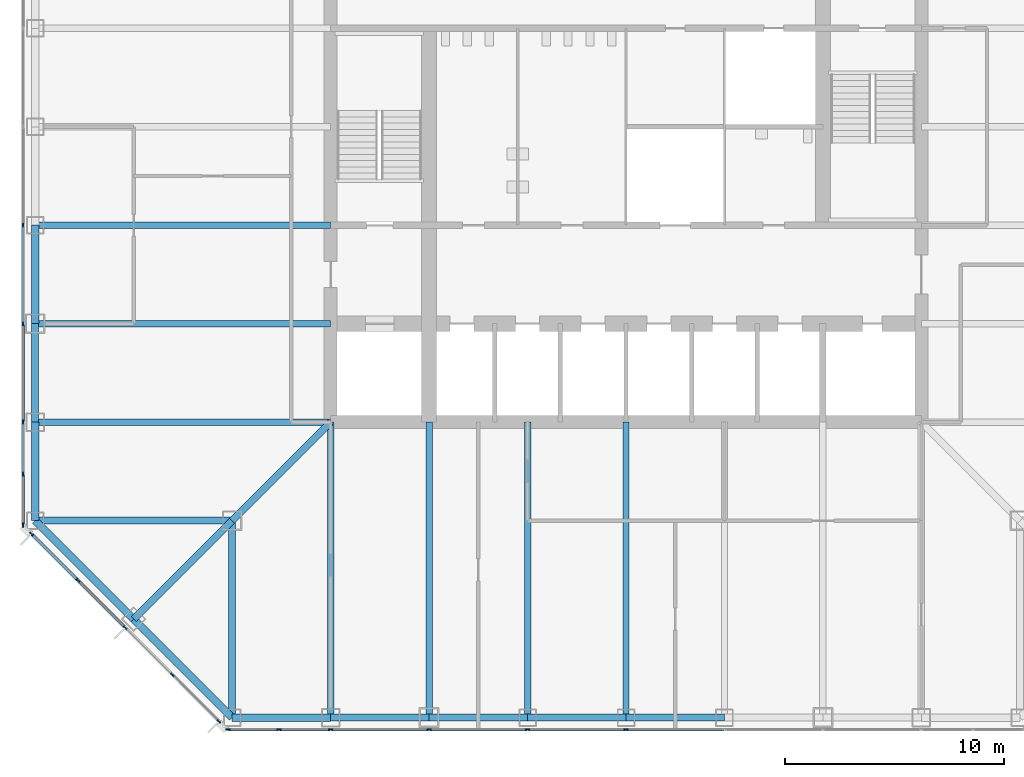
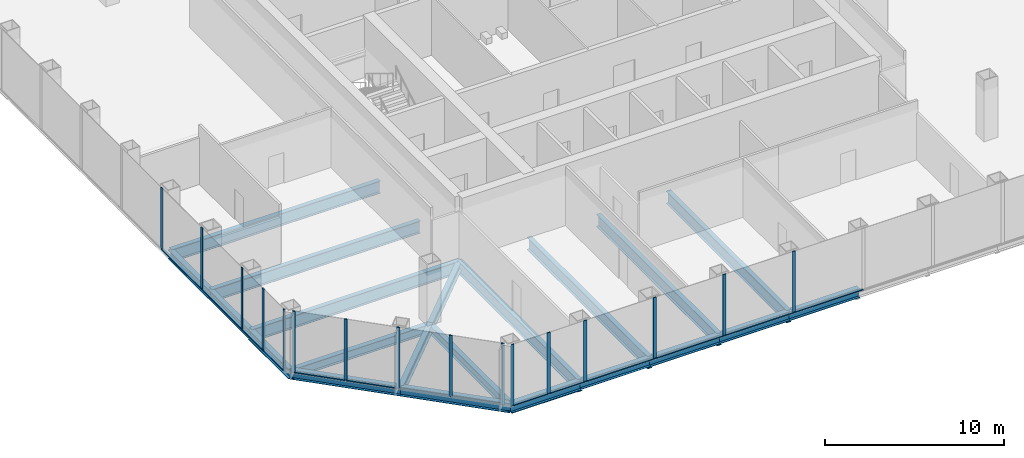
# One storey, part 2 of 13: 28 members, 21 beams, 3 elements without a shape of their own.
"""IFC4 building model written with IfcOpenShell, lengths in metres."""

from ifc_helpers import new_model, si_unit, direction, frame, origin, origin_2d, place, context, subcontext, project, spatial, rectangle, i_section, extrude, material, material_profile, profile_set, type_object, element, aggregate, save


model = new_model("IFC4")

# Units and contexts
model_context = context("Model", 3, precision=1e-05, world=origin(), true_north=direction((0.0, 1.0)))
body_context = subcontext(model_context, "Body", "Model", "MODEL_VIEW")
ifc_project = project(units=[si_unit("LENGTHUNIT", "METRE"), si_unit("AREAUNIT", "SQUARE_METRE"), si_unit("VOLUMEUNIT", "CUBIC_METRE"), si_unit("PLANEANGLEUNIT", "RADIAN"), si_unit("MASSUNIT", "GRAM", prefix="KILO")], contexts=[model_context])

# Site, building, storey
site_placement = place(None, origin())
site = spatial("IfcSite", under=ifc_project, at=site_placement, CompositionType="ELEMENT")
building_placement = place(site_placement, origin())
building = spatial("IfcBuilding", under=site, at=building_placement, Name="Corais Broadcast Tower", CompositionType="ELEMENT")
storey_placement = place(building_placement, frame((0.0, 0.0, 66.800048828125)))
storey = spatial("IfcBuildingStorey", under=building, at=storey_placement, Name="L14", CompositionType="ELEMENT", Elevation=66.800048828125)

# Beams
ifc_material_1 = material(Name="Steel ASTM A572 Grade 50", Category="steel")
ifc_material_profile_1 = material_profile(ifc_material_1, i_section(OverallWidth=0.323974609375, OverallDepth=0.611083984375, WebThickness=0.0126953125, FlangeThickness=0.01904296875, at=origin_2d()), Name="W610x155")
ifc_profile_set_1 = profile_set([ifc_material_profile_1], Name="Steel ASTM A572 Grade 50")
beam_type_1 = type_object("IfcBeamType", Name="Chamfer tie W610x155", PredefinedType="BEAM", material=ifc_profile_set_1)
beam_1_placement = place(storey_placement, frame((4.5, 4.5, -0.465576171875), z_axis=(0.707106781187, 0.707106781187, 0.0), x_axis=(-0.707106781187, 0.707106781187, 0.0)))
element("IfcBeam", 1, at=beam_1_placement, inside=storey, type_object=beam_type_1, Name="B5 B/4 to C/5", PredefinedType="BEAM", context=body_context, shape_type="SweptSolid", body=[
    extrude(i_section(OverallWidth=0.323974609375, OverallDepth=0.611083984375, WebThickness=0.0126953125, FlangeThickness=0.01904296875, at=origin_2d()), origin(), (0.0, 0.0, 1.0), 6.364013671875),
])
ifc_material_2 = material(Name="Steel ASTM A572 Grade 50", Category="steel")
ifc_material_profile_2 = material_profile(ifc_material_2, i_section(OverallWidth=0.323974609375, OverallDepth=0.611083984375, WebThickness=0.0126953125, FlangeThickness=0.01904296875, at=origin_2d()), Name="W610x155")
ifc_profile_set_2 = profile_set([ifc_material_profile_2], Name="Steel ASTM A572 Grade 50")
beam_type_2 = type_object("IfcBeamType", Name="Corner diagonal W610x155", PredefinedType="BEAM", material=ifc_profile_set_2)
beam_2_placement = place(storey_placement, frame((9.0, 9.0, -0.465576171875), z_axis=(0.707106781187, 0.707106781187, 0.0), x_axis=(-0.707106781187, 0.707106781187, 0.0)))
element("IfcBeam", 2, at=beam_2_placement, inside=storey, type_object=beam_type_2, Name="B6 C/5 to D/6", PredefinedType="BEAM", context=body_context, shape_type="SweptSolid", body=[
    extrude(i_section(OverallWidth=0.323974609375, OverallDepth=0.611083984375, WebThickness=0.0126953125, FlangeThickness=0.01904296875, at=origin_2d()), origin(), (0.0, 0.0, 1.0), 6.364013671875),
])
ifc_material_3 = material(Name="Steel ASTM A572 Grade 50", Category="steel")
ifc_material_profile_3 = material_profile(ifc_material_3, i_section(OverallWidth=0.323974609375, OverallDepth=0.611083984375, WebThickness=0.0126953125, FlangeThickness=0.01904296875, at=origin_2d()), Name="W610x155")
ifc_profile_set_3 = profile_set([ifc_material_profile_3], Name="Steel ASTM A572 Grade 50")
beam_type_3 = type_object("IfcBeamType", Name="Corner girder W610x155", PredefinedType="BEAM", material=ifc_profile_set_3)
for number, where, z_axis, x_axis, name in (
    (3, (0.0, 9.0, -0.465576171875), (1.0, 0.0, 0.0), (0.0, 1.0, 0.0), "B4 C/3 to C/5"),
    (4, (9.0, 0.0, -0.465576171875), (0.0, 1.0, 0.0), (-1.0, 0.0, 0.0), "B4 A/5 to C/5"),
):
    element("IfcBeam", number, at=place(storey_placement, frame(where, z_axis=z_axis, x_axis=x_axis)), inside=storey, type_object=beam_type_3, Name=name, PredefinedType="BEAM", context=body_context, shape_type="SweptSolid", body=[
        extrude(i_section(OverallWidth=0.323974609375, OverallDepth=0.611083984375, WebThickness=0.0126953125, FlangeThickness=0.01904296875, at=origin_2d()), origin(), (0.0, 0.0, 1.0), 9.0),
    ])
ifc_material_4 = material(Name="Steel ASTM A572 Grade 50", Category="steel")
ifc_material_profile_4 = material_profile(ifc_material_4, i_section(OverallWidth=0.337890625, OverallDepth=0.677978515625, WebThickness=0.029541015625, FlangeThickness=0.052978515625, at=origin_2d()), Name="W610x415")
ifc_profile_set_4 = profile_set([ifc_material_profile_4], Name="Steel ASTM A572 Grade 50")
beam_type_4 = type_object("IfcBeamType", Name="Corner spandrel W610x415", PredefinedType="BEAM", material=ifc_profile_set_4)
for number, where, z_axis, x_axis, name in (
    (5, (0.0, 13.5, -0.4990234375), (0.0, -1.0, 0.0), (1.0, 0.0, 0.0), "SB10 D/3 to C/3"),
    (6, (9.0, 0.0, -0.4990234375), (1.0, 0.0, 0.0), (0.0, 1.0, 0.0), "SB10 A/5 to A/6"),
):
    element("IfcBeam", number, at=place(storey_placement, frame(where, z_axis=z_axis, x_axis=x_axis)), inside=storey, type_object=beam_type_4, Name=name, PredefinedType="BEAM", context=body_context, shape_type="SweptSolid", body=[
        extrude(i_section(OverallWidth=0.337890625, OverallDepth=0.677978515625, WebThickness=0.029541015625, FlangeThickness=0.052978515625, at=origin_2d()), origin(), (0.0, 0.0, 1.0), 4.5),
    ])
ifc_material_5 = material(Name="Steel ASTM A572 Grade 50", Category="steel")
ifc_material_profile_5 = material_profile(ifc_material_5, i_section(OverallWidth=0.2939453125, OverallDepth=0.85107421875, WebThickness=0.01611328125, FlangeThickness=0.02685546875, at=origin_2d()), Name="W840x226")
ifc_profile_set_5 = profile_set([ifc_material_profile_5], Name="Steel ASTM A572 Grade 50")
beam_type_5 = type_object("IfcBeamType", Name="Floor beam W840x226", PredefinedType="BEAM", material=ifc_profile_set_5)
for number, where, z_axis, x_axis, name in (
    (7, (0.0, 13.5, -0.58544921875), (1.0, 0.0, 0.0), (0.0, 1.0, 0.0), "B1 D/3 to D/6"),
    (8, (0.0, 18.0, -0.58544921875), (1.0, 0.0, 0.0), (0.0, 1.0, 0.0), "B1 E/3 to E/6"),
    (9, (0.0, 22.5, -0.58544921875), (1.0, 0.0, 0.0), (0.0, 1.0, 0.0), "B1 F/3 to F/6"),
    (10, (13.5, 0.0, -0.58544921875), (0.0, 1.0, 0.0), (-1.0, 0.0, 0.0), "B1 A/6 to D/6"),
    (11, (18.0, 0.0, -0.58544921875), (0.0, 1.0, 0.0), (-1.0, 0.0, 0.0), "B1 A/7 to D/7"),
    (12, (22.5, 0.0, -0.58544921875), (0.0, 1.0, 0.0), (-1.0, 0.0, 0.0), "B1 A/8 to D/8"),
    (13, (27.0, 0.0, -0.58544921875), (0.0, 1.0, 0.0), (-1.0, 0.0, 0.0), "B1 A/9 to D/9"),
):
    element("IfcBeam", number, at=place(storey_placement, frame(where, z_axis=z_axis, x_axis=x_axis)), inside=storey, type_object=beam_type_5, Name=name, PredefinedType="BEAM", context=body_context, shape_type="SweptSolid", body=[
        extrude(i_section(OverallWidth=0.2939453125, OverallDepth=0.85107421875, WebThickness=0.01611328125, FlangeThickness=0.02685546875, at=origin_2d()), origin(), (0.0, 0.0, 1.0), 13.5),
    ])

# Curtain wall, members
ifc_material_6 = material(Name="Aluminium and glass", Category="aluminium")
curtain_wall_type = type_object("IfcCurtainWallType", Name="Unitised fritted curtain wall CW1", PredefinedType="NOTDEFINED", material=ifc_material_6)
curtain_wall_1_placement = place(storey_placement, origin())
curtain_wall_1 = element("IfcCurtainWall", 14, at=curtain_wall_1_placement, inside=storey, type_object=curtain_wall_type, Name="CW1 curtain wall L14 1", PredefinedType="NOTDEFINED")
ifc_material_7 = material(Name="Aluminium 6063-T6", Category="aluminium")
ifc_material_profile_6 = material_profile(ifc_material_7, rectangle(XDim=0.06494140625, YDim=0.199951171875, at=origin_2d()), Name="Mullion CW1 65x200")
ifc_profile_set_6 = profile_set([ifc_material_profile_6], Name="Aluminium 6063-T6")
member_type_1 = type_object("IfcMemberType", Name="Mullion CW1 65x200", PredefinedType="MULLION", material=ifc_profile_set_6)
member_1_placement = place(storey_placement, frame((8.3955078125, -0.17333984375, 0.0), z_axis=(0.0, 0.0, 1.0), x_axis=(-0.707106781187, -0.707106781187, 0.0)))
member_1 = element("IfcMember", 15, at=member_1_placement, type_object=member_type_1, Name="CW1 mullion 1", PredefinedType="MULLION", context=body_context, shape_type="SweptSolid", body=[
    extrude(rectangle(XDim=0.06494140625, YDim=0.199951171875, at=origin_2d()), origin(), (0.0, 0.0, 1.0), 4.199951171875),
])
member_2_placement = place(storey_placement, frame((6.264892578125, 1.957275390625, 0.0), z_axis=(0.0, 0.0, 1.0), x_axis=(-0.707106781187, -0.707106781187, 0.0)))
member_2 = element("IfcMember", 16, at=member_2_placement, type_object=member_type_1, Name="CW1 mullion 2", PredefinedType="MULLION", context=body_context, shape_type="SweptSolid", body=[
    extrude(rectangle(XDim=0.06494140625, YDim=0.199951171875, at=origin_2d()), origin(), (0.0, 0.0, 1.0), 4.199951171875),
])
member_3_placement = place(storey_placement, frame((4.111083984375, 4.111083984375, 0.0), z_axis=(0.0, 0.0, 1.0), x_axis=(-0.707106781187, -0.707106781187, 0.0)))
member_3 = element("IfcMember", 17, at=member_3_placement, type_object=member_type_1, Name="CW1 mullion 3", PredefinedType="MULLION", context=body_context, shape_type="SweptSolid", body=[
    extrude(rectangle(XDim=0.06494140625, YDim=0.199951171875, at=origin_2d()), origin(), (0.0, 0.0, 1.0), 4.199951171875),
])
member_4_placement = place(storey_placement, frame((1.957275390625, 6.264892578125, 0.0), z_axis=(0.0, 0.0, 1.0), x_axis=(-0.707106781187, -0.707106781187, 0.0)))
member_4 = element("IfcMember", 18, at=member_4_placement, type_object=member_type_1, Name="CW1 mullion 4", PredefinedType="MULLION", context=body_context, shape_type="SweptSolid", body=[
    extrude(rectangle(XDim=0.06494140625, YDim=0.199951171875, at=origin_2d()), origin(), (0.0, 0.0, 1.0), 4.199951171875),
])
member_5_placement = place(storey_placement, frame((-0.17333984375, 8.3955078125, 0.0), z_axis=(0.0, 0.0, 1.0), x_axis=(-0.707106781187, -0.707106781187, 0.0)))
member_5 = element("IfcMember", 19, at=member_5_placement, type_object=member_type_1, Name="CW1 mullion 5", PredefinedType="MULLION", context=body_context, shape_type="SweptSolid", body=[
    extrude(rectangle(XDim=0.06494140625, YDim=0.199951171875, at=origin_2d()), origin(), (0.0, 0.0, 1.0), 4.199951171875),
])

curtain_wall_2_placement = place(storey_placement, origin())
curtain_wall_2 = element("IfcCurtainWall", 20, at=curtain_wall_2_placement, inside=storey, type_object=curtain_wall_type, Name="CW1 curtain wall L14 2", PredefinedType="NOTDEFINED")
member_6_placement = place(storey_placement, frame((-0.550048828125, 8.8046875, 0.0), z_axis=(0.0, 0.0, 1.0), x_axis=(-1.0, 0.0, 0.0)))
member_6 = element("IfcMember", 21, at=member_6_placement, type_object=member_type_1, Name="CW1 mullion 1", PredefinedType="MULLION", context=body_context, shape_type="SweptSolid", body=[
    extrude(rectangle(XDim=0.06494140625, YDim=0.199951171875, at=origin_2d()), origin(), (0.0, 0.0, 1.0), 4.199951171875),
])
member_7_placement = place(storey_placement, frame((-0.550048828125, 11.135986328125, 0.0), z_axis=(0.0, 0.0, 1.0), x_axis=(-1.0, 0.0, 0.0)))
member_7 = element("IfcMember", 22, at=member_7_placement, type_object=member_type_1, Name="CW1 mullion 2", PredefinedType="MULLION", context=body_context, shape_type="SweptSolid", body=[
    extrude(rectangle(XDim=0.06494140625, YDim=0.199951171875, at=origin_2d()), origin(), (0.0, 0.0, 1.0), 4.199951171875),
])
member_8_placement = place(storey_placement, frame((-0.550048828125, 13.5, 0.0), z_axis=(0.0, 0.0, 1.0), x_axis=(-1.0, 0.0, 0.0)))
member_8 = element("IfcMember", 23, at=member_8_placement, type_object=member_type_1, Name="CW1 mullion 3", PredefinedType="MULLION", context=body_context, shape_type="SweptSolid", body=[
    extrude(rectangle(XDim=0.06494140625, YDim=0.199951171875, at=origin_2d()), origin(), (0.0, 0.0, 1.0), 4.199951171875),
])
member_9_placement = place(storey_placement, frame((-0.550048828125, 18.0, 0.0), z_axis=(0.0, 0.0, 1.0), x_axis=(-1.0, 0.0, 0.0)))
member_9 = element("IfcMember", 24, at=member_9_placement, type_object=member_type_1, Name="CW1 mullion 4", PredefinedType="MULLION", context=body_context, shape_type="SweptSolid", body=[
    extrude(rectangle(XDim=0.06494140625, YDim=0.199951171875, at=origin_2d()), origin(), (0.0, 0.0, 1.0), 4.199951171875),
])
member_10_placement = place(storey_placement, frame((-0.550048828125, 22.5, 0.0), z_axis=(0.0, 0.0, 1.0), x_axis=(-1.0, 0.0, 0.0)))
member_10 = element("IfcMember", 25, at=member_10_placement, type_object=member_type_1, Name="CW1 mullion 5", PredefinedType="MULLION", context=body_context, shape_type="SweptSolid", body=[
    extrude(rectangle(XDim=0.06494140625, YDim=0.199951171875, at=origin_2d()), origin(), (0.0, 0.0, 1.0), 4.199951171875),
])

curtain_wall_3_placement = place(storey_placement, origin())
curtain_wall_3 = element("IfcCurtainWall", 26, at=curtain_wall_3_placement, inside=storey, type_object=curtain_wall_type, Name="CW1 curtain wall L14 8", PredefinedType="NOTDEFINED")
member_11_placement = place(storey_placement, frame((27.0, -0.550048828125, 0.0), z_axis=(0.0, 0.0, 1.0), x_axis=(0.0, -1.0, 0.0)))
member_11 = element("IfcMember", 27, at=member_11_placement, type_object=member_type_1, Name="CW1 mullion 6", PredefinedType="MULLION", context=body_context, shape_type="SweptSolid", body=[
    extrude(rectangle(XDim=0.06494140625, YDim=0.199951171875, at=origin_2d()), origin(), (0.0, 0.0, 1.0), 4.199951171875),
])
member_12_placement = place(storey_placement, frame((22.5, -0.550048828125, 0.0), z_axis=(0.0, 0.0, 1.0), x_axis=(0.0, -1.0, 0.0)))
member_12 = element("IfcMember", 28, at=member_12_placement, type_object=member_type_1, Name="CW1 mullion 7", PredefinedType="MULLION", context=body_context, shape_type="SweptSolid", body=[
    extrude(rectangle(XDim=0.06494140625, YDim=0.199951171875, at=origin_2d()), origin(), (0.0, 0.0, 1.0), 4.199951171875),
])
member_13_placement = place(storey_placement, frame((18.0, -0.550048828125, 0.0), z_axis=(0.0, 0.0, 1.0), x_axis=(0.0, -1.0, 0.0)))
member_13 = element("IfcMember", 29, at=member_13_placement, type_object=member_type_1, Name="CW1 mullion 8", PredefinedType="MULLION", context=body_context, shape_type="SweptSolid", body=[
    extrude(rectangle(XDim=0.06494140625, YDim=0.199951171875, at=origin_2d()), origin(), (0.0, 0.0, 1.0), 4.199951171875),
])
member_14_placement = place(storey_placement, frame((13.5, -0.550048828125, 0.0), z_axis=(0.0, 0.0, 1.0), x_axis=(0.0, -1.0, 0.0)))
member_14 = element("IfcMember", 30, at=member_14_placement, type_object=member_type_1, Name="CW1 mullion 9", PredefinedType="MULLION", context=body_context, shape_type="SweptSolid", body=[
    extrude(rectangle(XDim=0.06494140625, YDim=0.199951171875, at=origin_2d()), origin(), (0.0, 0.0, 1.0), 4.199951171875),
])
member_15_placement = place(storey_placement, frame((11.135986328125, -0.550048828125, 0.0), z_axis=(0.0, 0.0, 1.0), x_axis=(0.0, -1.0, 0.0)))
member_15 = element("IfcMember", 31, at=member_15_placement, type_object=member_type_1, Name="CW1 mullion 10", PredefinedType="MULLION", context=body_context, shape_type="SweptSolid", body=[
    extrude(rectangle(XDim=0.06494140625, YDim=0.199951171875, at=origin_2d()), origin(), (0.0, 0.0, 1.0), 4.199951171875),
])
member_16_placement = place(storey_placement, frame((8.8046875, -0.550048828125, 0.0), z_axis=(0.0, 0.0, 1.0), x_axis=(0.0, -1.0, 0.0)))
member_16 = element("IfcMember", 32, at=member_16_placement, type_object=member_type_1, Name="CW1 mullion 11", PredefinedType="MULLION", context=body_context, shape_type="SweptSolid", body=[
    extrude(rectangle(XDim=0.06494140625, YDim=0.199951171875, at=origin_2d()), origin(), (0.0, 0.0, 1.0), 4.199951171875),
])

# Beams
ifc_material_8 = material(Name="Steel ASTM A572 Grade 50", Category="steel")
ifc_material_profile_7 = material_profile(ifc_material_8, i_section(OverallWidth=0.323974609375, OverallDepth=0.611083984375, WebThickness=0.0126953125, FlangeThickness=0.01904296875, at=origin_2d()), Name="W610x155")
ifc_profile_set_7 = profile_set([ifc_material_profile_7], Name="Steel ASTM A572 Grade 50")
beam_type_6 = type_object("IfcBeamType", Name="Pinned spandrel W610x155", PredefinedType="BEAM", material=ifc_profile_set_7)
for number, where, z_axis, x_axis, name in (
    (33, (0.0, 18.0, -0.465576171875), (0.0, -1.0, 0.0), (1.0, 0.0, 0.0), "SB6 E/3 to D/3"),
    (34, (13.5, 0.0, -0.465576171875), (1.0, 0.0, 0.0), (0.0, 1.0, 0.0), "SB6 A/6 to A/7"),
):
    element("IfcBeam", number, at=place(storey_placement, frame(where, z_axis=z_axis, x_axis=x_axis)), inside=storey, type_object=beam_type_6, Name=name, PredefinedType="BEAM", context=body_context, shape_type="SweptSolid", body=[
        extrude(i_section(OverallWidth=0.323974609375, OverallDepth=0.611083984375, WebThickness=0.0126953125, FlangeThickness=0.01904296875, at=origin_2d()), origin(), (0.0, 0.0, 1.0), 4.5),
    ])
ifc_material_9 = material(Name="Steel ASTM A572 Grade 50", Category="steel")
ifc_material_profile_8 = material_profile(ifc_material_9, i_section(OverallWidth=0.3291015625, OverallDepth=0.635009765625, WebThickness=0.017822265625, FlangeThickness=0.031005859375, at=origin_2d()), Name="W610x241")
ifc_profile_set_8 = profile_set([ifc_material_profile_8], Name="Steel ASTM A572 Grade 50")
beam_type_7 = type_object("IfcBeamType", Name="Spandrel W610x241", PredefinedType="BEAM", material=ifc_profile_set_8)
beam_3_placement = place(storey_placement, frame((0.0, 22.5, -0.4775390625), z_axis=(0.0, -1.0, 0.0), x_axis=(1.0, 0.0, 0.0)))
element("IfcBeam", 35, at=beam_3_placement, inside=storey, type_object=beam_type_7, Name="SB1 F/3 to E/3", PredefinedType="BEAM", context=body_context, shape_type="SweptSolid", body=[
    extrude(i_section(OverallWidth=0.3291015625, OverallDepth=0.635009765625, WebThickness=0.017822265625, FlangeThickness=0.031005859375, at=origin_2d()), origin(), (0.0, 0.0, 1.0), 4.5),
])
beam_4_placement = place(storey_placement, frame((0.0, 9.0, -0.4775390625), z_axis=(0.707106781187, -0.707106781187, 0.0), x_axis=(0.707106781187, 0.707106781187, 0.0)))
element("IfcBeam", 36, at=beam_4_placement, inside=storey, type_object=beam_type_7, Name="SB1 C/3 to B/4", PredefinedType="BEAM", context=body_context, shape_type="SweptSolid", body=[
    extrude(i_section(OverallWidth=0.3291015625, OverallDepth=0.635009765625, WebThickness=0.017822265625, FlangeThickness=0.031005859375, at=origin_2d()), origin(), (0.0, 0.0, 1.0), 6.364013671875),
])
for number, where, z_axis, x_axis, name in (
    (37, (18.0, 0.0, -0.4775390625), (1.0, 0.0, 0.0), (0.0, 1.0, 0.0), "SB1 A/7 to A/8"),
    (38, (22.5, 0.0, -0.4775390625), (1.0, 0.0, 0.0), (0.0, 1.0, 0.0), "SB1 A/8 to A/9"),
    (39, (27.0, 0.0, -0.4775390625), (1.0, 0.0, 0.0), (0.0, 1.0, 0.0), "SB1 A/9 to A/10"),
):
    element("IfcBeam", number, at=place(storey_placement, frame(where, z_axis=z_axis, x_axis=x_axis)), inside=storey, type_object=beam_type_7, Name=name, PredefinedType="BEAM", context=body_context, shape_type="SweptSolid", body=[
        extrude(i_section(OverallWidth=0.3291015625, OverallDepth=0.635009765625, WebThickness=0.017822265625, FlangeThickness=0.031005859375, at=origin_2d()), origin(), (0.0, 0.0, 1.0), 4.5),
    ])
beam_5_placement = place(storey_placement, frame((4.5, 4.5, -0.4775390625), z_axis=(0.707106781187, -0.707106781187, 0.0), x_axis=(0.707106781187, 0.707106781187, 0.0)))
element("IfcBeam", 40, at=beam_5_placement, inside=storey, type_object=beam_type_7, Name="SB1 B/4 to A/5", PredefinedType="BEAM", context=body_context, shape_type="SweptSolid", body=[
    extrude(i_section(OverallWidth=0.3291015625, OverallDepth=0.635009765625, WebThickness=0.017822265625, FlangeThickness=0.031005859375, at=origin_2d()), origin(), (0.0, 0.0, 1.0), 6.364013671875),
])

# Member
ifc_material_10 = material(Name="Aluminium 6063-T6", Category="aluminium")
ifc_material_profile_9 = material_profile(ifc_material_10, rectangle(XDim=0.139892578125, YDim=0.06494140625, at=origin_2d()), Name="Transom CW1 65x140")
ifc_profile_set_9 = profile_set([ifc_material_profile_9], Name="Aluminium 6063-T6")
member_type_2 = type_object("IfcMemberType", Name="Transom CW1 65x140", PredefinedType="USERDEFINED", material=ifc_profile_set_9)
member_17_placement = place(storey_placement, frame((4.088134765625, 4.134033203125, 0.032470703125), z_axis=(-0.707106781187, 0.707106781187, 0.0), x_axis=(-0.707106781187, -0.707106781187, 0.0)))
member_17 = element("IfcMember", 41, at=member_17_placement, type_object=member_type_2, Name="CW1 transom 3.1", ObjectType="TRANSOM", PredefinedType="USERDEFINED", context=body_context, shape_type="SweptSolid", body=[
    extrude(rectangle(XDim=0.139892578125, YDim=0.06494140625, at=origin_2d()), origin(), (0.0, 0.0, 1.0), 2.98095703125),
])

member_18_placement = place(storey_placement, frame((1.934326171875, 6.287841796875, 0.032470703125), z_axis=(-0.707106781187, 0.707106781187, 0.0), x_axis=(-0.707106781187, -0.707106781187, 0.0)))
member_18 = element("IfcMember", 42, at=member_18_placement, type_object=member_type_2, Name="CW1 transom 4.1", ObjectType="TRANSOM", PredefinedType="USERDEFINED", context=body_context, shape_type="SweptSolid", body=[
    extrude(rectangle(XDim=0.139892578125, YDim=0.06494140625, at=origin_2d()), origin(), (0.0, 0.0, 1.0), 2.9482421875),
])

aggregate(curtain_wall_1, [member_1, member_2, member_3, member_4, member_5, member_17, member_18])

member_19_placement = place(storey_placement, frame((-0.550048828125, 8.837158203125, 0.032470703125), z_axis=(0.0, 1.0, 0.0), x_axis=(-1.0, 0.0, 0.0)))
member_19 = element("IfcMember", 43, at=member_19_placement, type_object=member_type_2, Name="CW1 transom 1.1", ObjectType="TRANSOM", PredefinedType="USERDEFINED", context=body_context, shape_type="SweptSolid", body=[
    extrude(rectangle(XDim=0.139892578125, YDim=0.06494140625, at=origin_2d()), origin(), (0.0, 0.0, 1.0), 2.266357421875),
])

member_20_placement = place(storey_placement, frame((-0.550048828125, 11.168701171875, 0.032470703125), z_axis=(0.0, 1.0, 0.0), x_axis=(-1.0, 0.0, 0.0)))
member_20 = element("IfcMember", 44, at=member_20_placement, type_object=member_type_2, Name="CW1 transom 2.1", ObjectType="TRANSOM", PredefinedType="USERDEFINED", context=body_context, shape_type="SweptSolid", body=[
    extrude(rectangle(XDim=0.139892578125, YDim=0.06494140625, at=origin_2d()), origin(), (0.0, 0.0, 1.0), 2.298828125),
])

member_21_placement = place(storey_placement, frame((-0.550048828125, 13.532470703125, 0.032470703125), z_axis=(0.0, 1.0, 0.0), x_axis=(-1.0, 0.0, 0.0)))
member_21 = element("IfcMember", 45, at=member_21_placement, type_object=member_type_2, Name="CW1 transom 3.1", ObjectType="TRANSOM", PredefinedType="USERDEFINED", context=body_context, shape_type="SweptSolid", body=[
    extrude(rectangle(XDim=0.139892578125, YDim=0.06494140625, at=origin_2d()), origin(), (0.0, 0.0, 1.0), 4.43505859375),
])

member_22_placement = place(storey_placement, frame((-0.550048828125, 18.032470703125, 0.032470703125), z_axis=(0.0, 1.0, 0.0), x_axis=(-1.0, 0.0, 0.0)))
member_22 = element("IfcMember", 46, at=member_22_placement, type_object=member_type_2, Name="CW1 transom 4.1", ObjectType="TRANSOM", PredefinedType="USERDEFINED", context=body_context, shape_type="SweptSolid", body=[
    extrude(rectangle(XDim=0.139892578125, YDim=0.06494140625, at=origin_2d()), origin(), (0.0, 0.0, 1.0), 4.43505859375),
])

aggregate(curtain_wall_2, [member_6, member_7, member_8, member_9, member_10, member_19, member_20, member_21, member_22])

member_23_placement = place(storey_placement, frame((31.467529296875, -0.550048828125, 0.032470703125), z_axis=(-1.0, 0.0, 0.0), x_axis=(0.0, -1.0, 0.0)))
member_23 = element("IfcMember", 47, at=member_23_placement, type_object=member_type_2, Name="CW1 transom 5.1", ObjectType="TRANSOM", PredefinedType="USERDEFINED", context=body_context, shape_type="SweptSolid", body=[
    extrude(rectangle(XDim=0.139892578125, YDim=0.06494140625, at=origin_2d()), origin(), (0.0, 0.0, 1.0), 4.43505859375),
])

member_24_placement = place(storey_placement, frame((26.967529296875, -0.550048828125, 0.032470703125), z_axis=(-1.0, 0.0, 0.0), x_axis=(0.0, -1.0, 0.0)))
member_24 = element("IfcMember", 48, at=member_24_placement, type_object=member_type_2, Name="CW1 transom 6.1", ObjectType="TRANSOM", PredefinedType="USERDEFINED", context=body_context, shape_type="SweptSolid", body=[
    extrude(rectangle(XDim=0.139892578125, YDim=0.06494140625, at=origin_2d()), origin(), (0.0, 0.0, 1.0), 4.43505859375),
])

member_25_placement = place(storey_placement, frame((22.467529296875, -0.550048828125, 0.032470703125), z_axis=(-1.0, 0.0, 0.0), x_axis=(0.0, -1.0, 0.0)))
member_25 = element("IfcMember", 49, at=member_25_placement, type_object=member_type_2, Name="CW1 transom 7.1", ObjectType="TRANSOM", PredefinedType="USERDEFINED", context=body_context, shape_type="SweptSolid", body=[
    extrude(rectangle(XDim=0.139892578125, YDim=0.06494140625, at=origin_2d()), origin(), (0.0, 0.0, 1.0), 4.43505859375),
])

member_26_placement = place(storey_placement, frame((17.967529296875, -0.550048828125, 0.032470703125), z_axis=(-1.0, 0.0, 0.0), x_axis=(0.0, -1.0, 0.0)))
member_26 = element("IfcMember", 50, at=member_26_placement, type_object=member_type_2, Name="CW1 transom 8.1", ObjectType="TRANSOM", PredefinedType="USERDEFINED", context=body_context, shape_type="SweptSolid", body=[
    extrude(rectangle(XDim=0.139892578125, YDim=0.06494140625, at=origin_2d()), origin(), (0.0, 0.0, 1.0), 4.43505859375),
])

member_27_placement = place(storey_placement, frame((13.467529296875, -0.550048828125, 0.032470703125), z_axis=(-1.0, 0.0, 0.0), x_axis=(0.0, -1.0, 0.0)))
member_27 = element("IfcMember", 51, at=member_27_placement, type_object=member_type_2, Name="CW1 transom 9.1", ObjectType="TRANSOM", PredefinedType="USERDEFINED", context=body_context, shape_type="SweptSolid", body=[
    extrude(rectangle(XDim=0.139892578125, YDim=0.06494140625, at=origin_2d()), origin(), (0.0, 0.0, 1.0), 2.298828125),
])

member_28_placement = place(storey_placement, frame((11.103515625, -0.550048828125, 0.032470703125), z_axis=(-1.0, 0.0, 0.0), x_axis=(0.0, -1.0, 0.0)))
member_28 = element("IfcMember", 52, at=member_28_placement, type_object=member_type_2, Name="CW1 transom 10.1", ObjectType="TRANSOM", PredefinedType="USERDEFINED", context=body_context, shape_type="SweptSolid", body=[
    extrude(rectangle(XDim=0.139892578125, YDim=0.06494140625, at=origin_2d()), origin(), (0.0, 0.0, 1.0), 2.266357421875),
])

aggregate(curtain_wall_3, [member_11, member_12, member_13, member_14, member_15, member_16, member_23, member_24, member_25, member_26, member_27, member_28])

save(model, "model.ifc")
